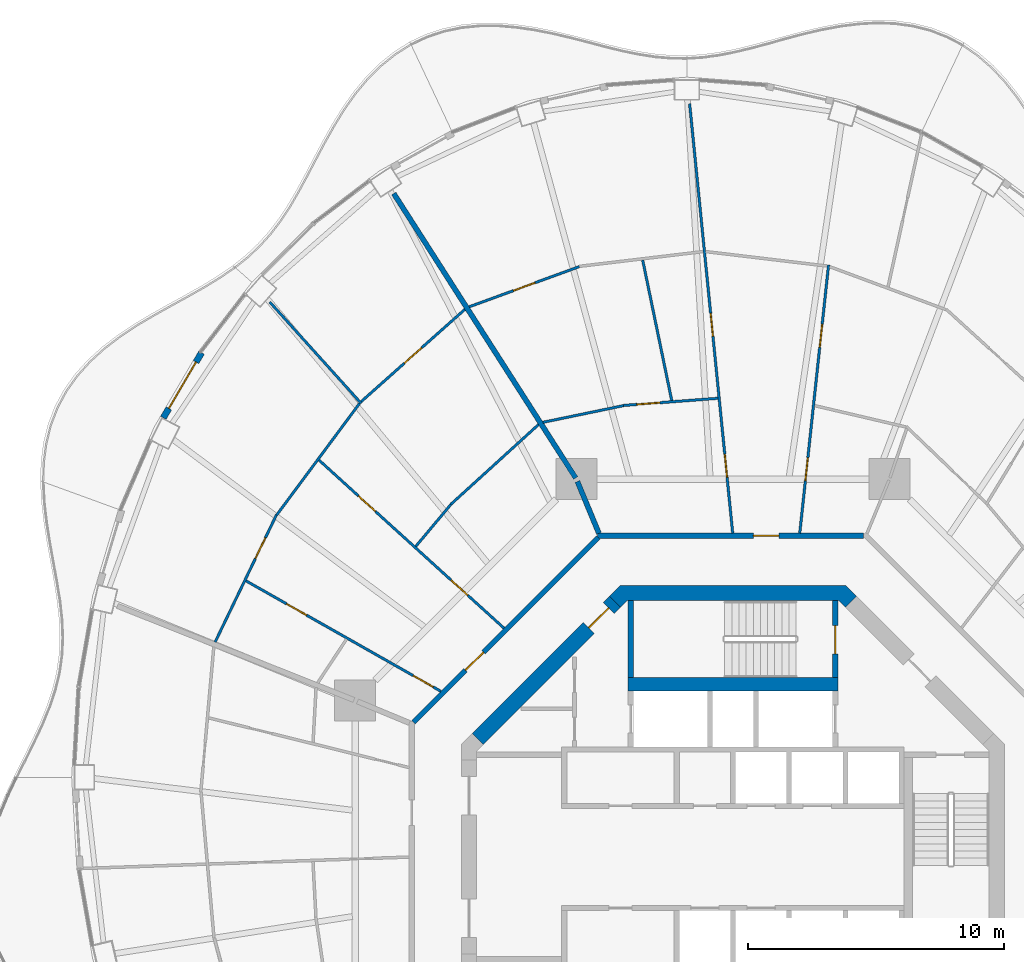
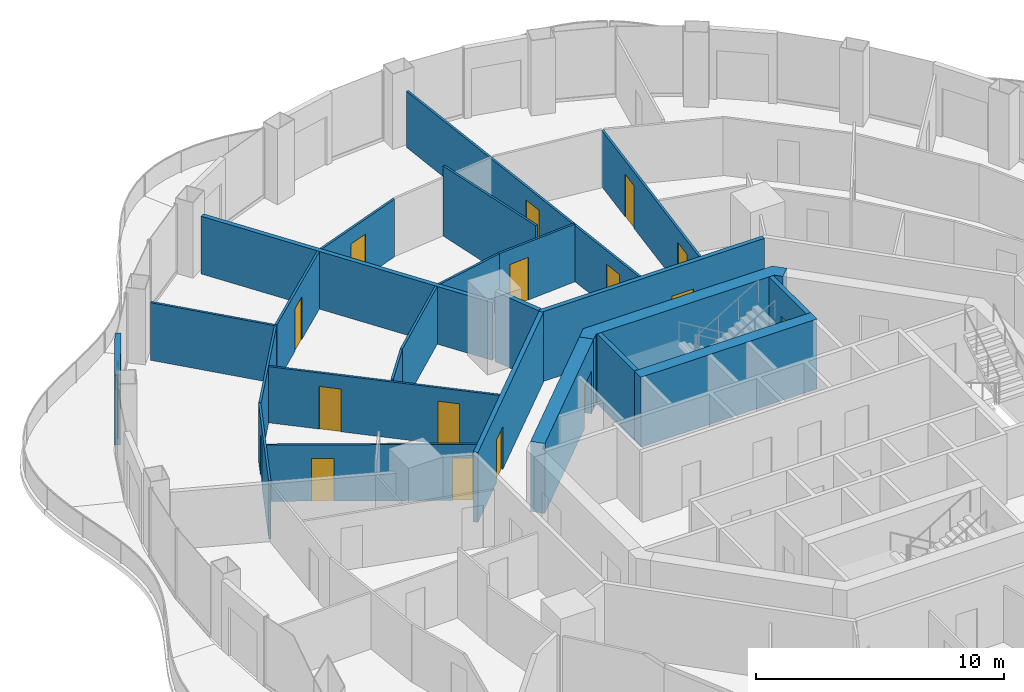
# One storey, part 13 of 18: 24 walls, 17 doors, 17 openings.
"""IFC4 building model written with IfcOpenShell, lengths in metres."""

from ifc_helpers import new_model, si_unit, direction, frame, frame_2d, origin, place, context, subcontext, project, spatial, polyline, rectangle, outline, extrude, material, layer, layer_set, type_object, element, fill, save


model = new_model("IFC4")

# Units and contexts
model_context = context("Model", 3, precision=1e-05, world=origin(), true_north=direction((0.0, 1.0)))
body_context = subcontext(model_context, "Body", "Model", "MODEL_VIEW")
ifc_project = project(units=[si_unit("LENGTHUNIT", "METRE"), si_unit("AREAUNIT", "SQUARE_METRE"), si_unit("VOLUMEUNIT", "CUBIC_METRE"), si_unit("PLANEANGLEUNIT", "RADIAN"), si_unit("MASSUNIT", "GRAM", prefix="KILO")], contexts=[model_context])

# Site, building, storey
site_placement = place(None, origin())
site = spatial("IfcSite", under=ifc_project, at=site_placement, CompositionType="ELEMENT")
building_placement = place(site_placement, origin())
building = spatial("IfcBuilding", under=site, at=building_placement, Name="Nagisa Residences", CompositionType="ELEMENT")
storey_placement = place(building_placement, frame((0.0, 0.0, 223.300048828125)))
storey = spatial("IfcBuildingStorey", under=building, at=storey_placement, Name="L56", CompositionType="ELEMENT", Elevation=223.300048828125)

# Walls
ifc_material_1 = material(Name="Gypsum board on steel studs", Category="steel")
ifc_layer_1 = layer(ifc_material_1, 0.199951171875)
ifc_layer_set_1 = layer_set([ifc_layer_1], Name="Apartment compartment wall EI60 200")
wall_type_1 = type_object("IfcWallType", Name="Apartment compartment wall EI60 200", PredefinedType="PARTITIONING", material=ifc_layer_set_1)
wall_1_placement = place(storey_placement, frame((-5.24267578125, 12.6572265625, 0.0), z_axis=(0.0, 0.0, 1.0), x_axis=(-0.382691608661, 0.923876145736, 0.0)))
element("IfcWall", 1, at=wall_1_placement, inside=storey, type_object=wall_type_1, Name="wall:L56:u00", PredefinedType="PARTITIONING", context=body_context, shape_type="SweptSolid", body=[
    extrude(rectangle(XDim=2.19970703125, YDim=0.199951171875, at=frame_2d((1.099853515625, 0.0))), origin(), (0.0, 0.0, 1.0), 3.43994140625),
])
wall_2_placement = place(storey_placement, frame((-6.14990234375, 14.82421875, 0.0), z_axis=(0.0, 0.0, 1.0), x_axis=(-0.538870687577, 0.842388498301, 0.0)))
element("IfcWall", 2, at=wall_2_placement, inside=storey, type_object=wall_type_1, Name="wall:L56:u01", PredefinedType="PARTITIONING", context=body_context, shape_type="SweptSolid", body=[
    extrude(rectangle(XDim=13.212646484375, YDim=0.199951171875, at=frame_2d((6.6064453125, 0.0))), origin(), (0.0, 0.0, 1.0), 2.8369140625),
])

# Wall, opening, door
ifc_material_2 = material(Name="Gypsum board on steel studs", Category="steel")
ifc_layer_2 = layer(ifc_material_2, 0.199951171875)
ifc_layer_set_2 = layer_set([ifc_layer_2], Name="Apartment entry wall EI60 200")
wall_type_2 = type_object("IfcWallType", Name="Apartment entry wall EI60 200", PredefinedType="PARTITIONING", material=ifc_layer_set_2)
wall_3_placement = place(storey_placement, frame((5.1044921875, 12.564697265625, 0.0), z_axis=(0.0, 0.0, 1.0), x_axis=(-1.0, 0.0, 0.0)))
wall_3 = element("IfcWall", 3, at=wall_3_placement, inside=storey, type_object=wall_type_2, Name="wall:L56:u10", PredefinedType="PARTITIONING", context=body_context, shape_type="SweptSolid", body=[
    extrude(rectangle(XDim=10.408935546875, YDim=0.199951171875, at=frame_2d((5.20458984375, 0.0))), origin(), (0.0, 0.0, 1.0), 3.43994140625),
])
opening_1_placement = place(wall_3_placement, frame((3.303466796875, 0.0, 0.0)))
opening_1 = element("IfcOpeningElement", 4, at=opening_1_placement, cuts=wall_3, Name="Opening L56-U31", PredefinedType="OPENING", context=body_context, shape_type="SweptSolid", body=[
    extrude(rectangle(XDim=1.0, YDim=2.10009765625, at=frame_2d((0.5, 1.050048828125))), frame((0.0, 0.10986328125, 0.0), z_axis=(0.0, -1.0, 0.0), x_axis=(1.0, 0.0, 0.0)), (0.0, 0.0, 1.0), 0.219970703125),
])
ifc_material_3 = material(Name="Timber fire door set", Category="wood")
door_type_1 = type_object("IfcDoorType", Name="Apartment entry door FD30S 1000x2100", OperationType="NOTDEFINED", PredefinedType="DOOR", material=ifc_material_3)
door_1_placement = place(opening_1_placement, frame((1.0, 0.0, 0.0), x_axis=(-1.0, 0.0, 0.0)))
door_1 = element("IfcDoor", 5, at=door_1_placement, inside=storey, type_object=door_type_1, Name="Entry door, Apartment 56D", OperationType="SINGLE_SWING_RIGHT", OverallHeight=2.10009765625, OverallWidth=1.0, PredefinedType="DOOR", context=body_context, shape_type="SweptSolid", body=[
    extrude(rectangle(XDim=1.0, YDim=2.10009765625, at=frame_2d((0.5, 1.050048828125))), frame((0.0, 0.02490234375, 0.0), z_axis=(0.0, -1.0, 0.0), x_axis=(1.0, 0.0, 0.0)), (0.0, 0.0, 1.0), 0.050048828125),
])
fill(opening_1, door_1)

wall_4_placement = place(storey_placement, frame((-5.275146484375, 12.494140625, 0.0), z_axis=(0.0, 0.0, 1.0), x_axis=(-0.707106781187, -0.707106781187, 0.0)))
wall_4 = element("IfcWall", 6, at=wall_4_placement, inside=storey, type_object=wall_type_2, Name="wall:L56:u11", PredefinedType="PARTITIONING", context=body_context, shape_type="SweptSolid", body=[
    extrude(rectangle(XDim=10.209228515625, YDim=0.199951171875, at=frame_2d((5.1044921875, 0.0))), origin(), (0.0, 0.0, 1.0), 3.43994140625),
])
opening_2_placement = place(wall_4_placement, frame((6.33935546875, 0.0, 0.0)))
opening_2 = element("IfcOpeningElement", 7, at=opening_2_placement, cuts=wall_4, Name="Opening L56-U01", PredefinedType="OPENING", context=body_context, shape_type="SweptSolid", body=[
    extrude(rectangle(XDim=1.0, YDim=2.10009765625, at=frame_2d((0.5, 1.050048828125))), frame((0.0, 0.10986328125, 0.0), z_axis=(0.0, -1.0, 0.0), x_axis=(1.0, 0.0, 0.0)), (0.0, 0.0, 1.0), 0.219970703125),
])
door_2_placement = place(opening_2_placement, frame((1.0, 0.0, 0.0), x_axis=(-1.0, 0.0, 0.0)))
door_2 = element("IfcDoor", 8, at=door_2_placement, inside=storey, type_object=door_type_1, Name="Entry door, Apartment 56A", OperationType="SINGLE_SWING_RIGHT", OverallHeight=2.10009765625, OverallWidth=1.0, PredefinedType="DOOR", context=body_context, shape_type="SweptSolid", body=[
    extrude(rectangle(XDim=1.0, YDim=2.10009765625, at=frame_2d((0.5, 1.050048828125))), frame((0.0, 0.02490234375, 0.0), z_axis=(0.0, -1.0, 0.0), x_axis=(1.0, 0.0, 0.0)), (0.0, 0.0, 1.0), 0.050048828125),
])
fill(opening_2, door_2)

# Wall, openings, doors
ifc_material_4 = material(Name="Gypsum board on steel studs", Category="steel")
ifc_layer_3 = layer(ifc_material_4, 0.10009765625)
ifc_layer_set_3 = layer_set([ifc_layer_3], Name="Apartment partition 100")
wall_type_3 = type_object("IfcWallType", Name="Apartment partition 100", PredefinedType="PARTITIONING", material=ifc_layer_set_3)
wall_5_placement = place(storey_placement, frame((2.613037109375, 12.664306640625, 0.0), z_axis=(0.0, 0.0, 1.0), x_axis=(0.106823825758, 0.994277964279, 0.0)))
wall_5 = element("IfcWall", 9, at=wall_5_placement, inside=storey, type_object=wall_type_3, Name="wall:L56:u37", PredefinedType="PARTITIONING", context=body_context, shape_type="SweptSolid", body=[
    extrude(rectangle(XDim=10.556396484375, YDim=0.10009765625, at=frame_2d((5.2783203125, 0.0))), origin(), (0.0, 0.0, 1.0), 2.761962890625),
])
opening_3_placement = place(wall_5_placement, frame((2.066162109375, 0.0, 0.0)))
opening_3 = element("IfcOpeningElement", 10, at=opening_3_placement, cuts=wall_5, Name="Opening L56-U32", PredefinedType="OPENING", context=body_context, shape_type="SweptSolid", body=[
    extrude(rectangle(XDim=0.89990234375, YDim=2.10009765625, at=frame_2d((0.449951171875, 1.050048828125))), frame((0.0, 0.06005859375, 0.0), z_axis=(0.0, -1.0, 0.0), x_axis=(1.0, 0.0, 0.0)), (0.0, 0.0, 1.0), 0.1201171875),
])
opening_4_placement = place(wall_5_placement, frame((7.319580078125, 0.0, 0.0)))
opening_4 = element("IfcOpeningElement", 11, at=opening_4_placement, cuts=wall_5, Name="Opening L56-U34", PredefinedType="OPENING", context=body_context, shape_type="SweptSolid", body=[
    extrude(rectangle(XDim=0.89990234375, YDim=2.10009765625, at=frame_2d((0.449951171875, 1.050048828125))), frame((0.0, 0.06005859375, 0.0), z_axis=(0.0, -1.0, 0.0), x_axis=(1.0, 0.0, 0.0)), (0.0, 0.0, 1.0), 0.1201171875),
])
ifc_material_5 = material(Name="Timber door set", Category="wood")
door_type_2 = type_object("IfcDoorType", Name="Apartment door 900x2100", OperationType="NOTDEFINED", PredefinedType="DOOR", material=ifc_material_5)
door_3_placement = place(opening_3_placement, frame((0.89990234375, 0.0, 0.0), x_axis=(-1.0, 0.0, 0.0)))
door_3 = element("IfcDoor", 12, at=door_3_placement, inside=storey, type_object=door_type_2, Name="Door to laundry, Apartment 56D", OperationType="SINGLE_SWING_LEFT", OverallHeight=2.10009765625, OverallWidth=0.89990234375, PredefinedType="DOOR", context=body_context, shape_type="SweptSolid", body=[
    extrude(rectangle(XDim=0.89990234375, YDim=2.10009765625, at=frame_2d((0.449951171875, 1.050048828125))), frame((0.0, 0.02490234375, 0.0), z_axis=(0.0, -1.0, 0.0), x_axis=(1.0, 0.0, 0.0)), (0.0, 0.0, 1.0), 0.050048828125),
])
fill(opening_3, door_3)
door_4_placement = place(opening_4_placement, frame((0.89990234375, 0.0, 0.0), x_axis=(-1.0, 0.0, 0.0)))
door_4 = element("IfcDoor", 13, at=door_4_placement, inside=storey, type_object=door_type_2, Name="Door to family room, Apartment 56D", OperationType="SINGLE_SWING_LEFT", OverallHeight=2.10009765625, OverallWidth=0.89990234375, PredefinedType="DOOR", context=body_context, shape_type="SweptSolid", body=[
    extrude(rectangle(XDim=0.89990234375, YDim=2.10009765625, at=frame_2d((0.449951171875, 1.050048828125))), frame((0.0, 0.02490234375, 0.0), z_axis=(0.0, -1.0, 0.0), x_axis=(1.0, 0.0, 0.0)), (0.0, 0.0, 1.0), 0.050048828125),
])
fill(opening_4, door_4)

wall_6_placement = place(storey_placement, frame((-0.010009765625, 12.664306640625, 0.0), z_axis=(0.0, 0.0, 1.0), x_axis=(-0.099808591851, 0.995006655753, 0.0)))
wall_6 = element("IfcWall", 14, at=wall_6_placement, inside=storey, type_object=wall_type_3, Name="wall:L56:u39", PredefinedType="PARTITIONING", context=body_context, shape_type="SweptSolid", body=[
    extrude(rectangle(XDim=16.8876953125, YDim=0.10009765625, at=frame_2d((8.44384765625, 0.0))), origin(), (0.0, 0.0, 1.0), 2.761962890625),
])
opening_5_placement = place(wall_6_placement, frame((2.204833984375, 0.0, 0.0)))
opening_5 = element("IfcOpeningElement", 15, at=opening_5_placement, cuts=wall_6, Name="Opening L56-U33", PredefinedType="OPENING", context=body_context, shape_type="SweptSolid", body=[
    extrude(rectangle(XDim=0.89990234375, YDim=2.10009765625, at=frame_2d((0.449951171875, 1.050048828125))), frame((0.0, 0.06005859375, 0.0), z_axis=(0.0, -1.0, 0.0), x_axis=(1.0, 0.0, 0.0)), (0.0, 0.0, 1.0), 0.1201171875),
])
opening_6_placement = place(wall_6_placement, frame((7.7451171875, 0.0, 0.0)))
opening_6 = element("IfcOpeningElement", 16, at=opening_6_placement, cuts=wall_6, Name="Opening L56-U35", PredefinedType="OPENING", context=body_context, shape_type="SweptSolid", body=[
    extrude(rectangle(XDim=0.89990234375, YDim=2.10009765625, at=frame_2d((0.449951171875, 1.050048828125))), frame((0.0, 0.06005859375, 0.0), z_axis=(0.0, -1.0, 0.0), x_axis=(1.0, 0.0, 0.0)), (0.0, 0.0, 1.0), 0.1201171875),
])
door_5_placement = place(opening_5_placement, origin())
door_5 = element("IfcDoor", 17, at=door_5_placement, inside=storey, type_object=door_type_2, Name="Door to store, Apartment 56D", OperationType="SINGLE_SWING_LEFT", OverallHeight=2.10009765625, OverallWidth=0.89990234375, PredefinedType="DOOR", context=body_context, shape_type="SweptSolid", body=[
    extrude(rectangle(XDim=0.89990234375, YDim=2.10009765625, at=frame_2d((0.449951171875, 1.050048828125))), frame((0.0, 0.02490234375, 0.0), z_axis=(0.0, -1.0, 0.0), x_axis=(1.0, 0.0, 0.0)), (0.0, 0.0, 1.0), 0.050048828125),
])
fill(opening_5, door_5)
door_6_placement = place(opening_6_placement, origin())
door_6 = element("IfcDoor", 18, at=door_6_placement, inside=storey, type_object=door_type_2, Name="Door to family bathroom, Apartment 56D", OperationType="SINGLE_SWING_LEFT", OverallHeight=2.10009765625, OverallWidth=0.89990234375, PredefinedType="DOOR", context=body_context, shape_type="SweptSolid", body=[
    extrude(rectangle(XDim=0.89990234375, YDim=2.10009765625, at=frame_2d((0.449951171875, 1.050048828125))), frame((0.0, 0.02490234375, 0.0), z_axis=(0.0, -1.0, 0.0), x_axis=(1.0, 0.0, 0.0)), (0.0, 0.0, 1.0), 0.050048828125),
])
fill(opening_6, door_6)

# Wall, opening, door
wall_7_placement = place(storey_placement, frame((-0.58984375, 17.94384765625, 0.0), z_axis=(0.0, 0.0, 1.0), x_axis=(-0.997133495787, -0.075662352452, 0.0)))
wall_7 = element("IfcWall", 19, at=wall_7_placement, inside=storey, type_object=wall_type_3, Name="wall:L56:u40", PredefinedType="PARTITIONING", context=body_context, shape_type="SweptSolid", body=[
    extrude(rectangle(XDim=3.700927734375, YDim=0.10009765625, at=frame_2d((1.8505859375, 0.0))), origin(), (0.0, 0.0, 1.0), 2.8369140625),
])
opening_7_placement = place(wall_7_placement, frame((2.27587890625, 0.0, 0.0)))
opening_7 = element("IfcOpeningElement", 20, at=opening_7_placement, cuts=wall_7, Name="Opening L56-U36", PredefinedType="OPENING", context=body_context, shape_type="SweptSolid", body=[
    extrude(rectangle(XDim=0.89990234375, YDim=2.10009765625, at=frame_2d((0.449951171875, 1.050048828125))), frame((0.0, 0.06005859375, 0.0), z_axis=(0.0, -1.0, 0.0), x_axis=(1.0, 0.0, 0.0)), (0.0, 0.0, 1.0), 0.1201171875),
])
door_7_placement = place(opening_7_placement, frame((0.89990234375, 0.0, 0.0), x_axis=(-1.0, 0.0, 0.0)))
door_7 = element("IfcDoor", 21, at=door_7_placement, inside=storey, type_object=door_type_2, Name="Door to family room, Apartment 56D", OperationType="SINGLE_SWING_LEFT", OverallHeight=2.10009765625, OverallWidth=0.89990234375, PredefinedType="DOOR", context=body_context, shape_type="SweptSolid", body=[
    extrude(rectangle(XDim=0.89990234375, YDim=2.10009765625, at=frame_2d((0.449951171875, 1.050048828125))), frame((0.0, 0.02490234375, 0.0), z_axis=(0.0, -1.0, 0.0), x_axis=(1.0, 0.0, 0.0)), (0.0, 0.0, 1.0), 0.050048828125),
])
fill(opening_7, door_7)

# Walls
wall_8_placement = place(storey_placement, frame((-2.395263671875, 17.856689453125, 0.0), z_axis=(0.0, 0.0, 1.0), x_axis=(-0.20251351451, 0.979279467997, 0.0)))
element("IfcWall", 22, at=wall_8_placement, inside=storey, type_object=wall_type_3, Name="wall:L56:u42", PredefinedType="PARTITIONING", context=body_context, shape_type="SweptSolid", body=[
    extrude(rectangle(XDim=5.610595703125, YDim=0.10009765625, at=frame_2d((2.80517578125, 0.0))), origin(), (0.0, 0.0, 1.0), 3.43994140625),
])
wall_9_placement = place(storey_placement, frame((-4.279541015625, 17.657470703125, 0.0), z_axis=(0.0, 0.0, 1.0), x_axis=(-0.979195545385, -0.202918909661, 0.0)))
element("IfcWall", 23, at=wall_9_placement, inside=storey, type_object=wall_type_3, Name="wall:L56:u43", PredefinedType="PARTITIONING", context=body_context, shape_type="SweptSolid", body=[
    extrude(rectangle(XDim=3.220703125, YDim=0.10009765625, at=frame_2d((1.6103515625, 0.0))), origin(), (0.0, 0.0, 1.0), 2.8369140625),
])

# Wall, opening, door
wall_10_placement = place(storey_placement, frame((-6.01416015625, 23.093505859375, 0.0), z_axis=(0.0, 0.0, 1.0), x_axis=(-0.939433575811, -0.342731026665, 0.0)))
wall_10 = element("IfcWall", 24, at=wall_10_placement, inside=storey, type_object=wall_type_3, Name="wall:L56:u44", PredefinedType="PARTITIONING", context=body_context, shape_type="SweptSolid", body=[
    extrude(rectangle(XDim=4.58251953125, YDim=0.10009765625, at=frame_2d((2.291259765625, 0.0))), origin(), (0.0, 0.0, 1.0), 2.8369140625),
])
opening_8_placement = place(wall_10_placement, frame((1.84130859375, 0.0, 0.0)))
opening_8 = element("IfcOpeningElement", 25, at=opening_8_placement, cuts=wall_10, Name="Opening L56-U39", PredefinedType="OPENING", context=body_context, shape_type="SweptSolid", body=[
    extrude(rectangle(XDim=0.89990234375, YDim=2.10009765625, at=frame_2d((0.449951171875, 1.050048828125))), frame((0.0, 0.06005859375, 0.0), z_axis=(0.0, -1.0, 0.0), x_axis=(1.0, 0.0, 0.0)), (0.0, 0.0, 1.0), 0.1201171875),
])
door_8_placement = place(opening_8_placement, frame((0.89990234375, 0.0, 0.0), x_axis=(-1.0, 0.0, 0.0)))
door_8 = element("IfcDoor", 26, at=door_8_placement, inside=storey, type_object=door_type_2, Name="Door to living room, Apartment 56D", OperationType="SINGLE_SWING_RIGHT", OverallHeight=2.10009765625, OverallWidth=0.89990234375, PredefinedType="DOOR", context=body_context, shape_type="SweptSolid", body=[
    extrude(rectangle(XDim=0.89990234375, YDim=2.10009765625, at=frame_2d((0.449951171875, 1.050048828125))), frame((0.0, 0.02490234375, 0.0), z_axis=(0.0, -1.0, 0.0), x_axis=(1.0, 0.0, 0.0)), (0.0, 0.0, 1.0), 0.050048828125),
])
fill(opening_8, door_8)

# Wall
wall_11_placement = place(storey_placement, frame((-7.605224609375, 16.91650390625, 0.0), z_axis=(0.0, 0.0, 1.0), x_axis=(-0.739828340504, -0.672795679673, 0.0)))
element("IfcWall", 27, at=wall_11_placement, inside=storey, type_object=wall_type_3, Name="wall:L56:u45", PredefinedType="PARTITIONING", context=body_context, shape_type="SweptSolid", body=[
    extrude(rectangle(XDim=4.647216796875, YDim=0.10009765625, at=frame_2d((2.32373046875, 0.0))), origin(), (0.0, 0.0, 1.0), 2.8369140625),
])

# Wall, opening, door
wall_12_placement = place(storey_placement, frame((-10.48779296875, 21.422119140625, 0.0), z_axis=(0.0, 0.0, 1.0), x_axis=(-0.747148551049, -0.664657086523, 0.0)))
wall_12 = element("IfcWall", 28, at=wall_12_placement, inside=storey, type_object=wall_type_3, Name="wall:L56:u46", PredefinedType="PARTITIONING", context=body_context, shape_type="SweptSolid", body=[
    extrude(rectangle(XDim=5.4248046875, YDim=0.10009765625, at=frame_2d((2.71240234375, 0.0))), origin(), (0.0, 0.0, 1.0), 2.8369140625),
])
opening_9_placement = place(wall_12_placement, frame((2.262451171875, 0.0, 0.0)))
opening_9 = element("IfcOpeningElement", 29, at=opening_9_placement, cuts=wall_12, Name="Opening L56-U06", PredefinedType="OPENING", context=body_context, shape_type="SweptSolid", body=[
    extrude(rectangle(XDim=0.89990234375, YDim=2.10009765625, at=frame_2d((0.449951171875, 1.050048828125))), frame((0.0, 0.06005859375, 0.0), z_axis=(0.0, -1.0, 0.0), x_axis=(1.0, 0.0, 0.0)), (0.0, 0.0, 1.0), 0.1201171875),
])
door_9_placement = place(opening_9_placement, frame((0.89990234375, 0.0, 0.0), x_axis=(-1.0, 0.0, 0.0)))
door_9 = element("IfcDoor", 30, at=door_9_placement, inside=storey, type_object=door_type_2, Name="Door to master bedroom, Apartment 56A", OperationType="SINGLE_SWING_LEFT", OverallHeight=2.10009765625, OverallWidth=0.89990234375, PredefinedType="DOOR", context=body_context, shape_type="SweptSolid", body=[
    extrude(rectangle(XDim=0.89990234375, YDim=2.10009765625, at=frame_2d((0.449951171875, 1.050048828125))), frame((0.0, 0.02490234375, 0.0), z_axis=(0.0, -1.0, 0.0), x_axis=(1.0, 0.0, 0.0)), (0.0, 0.0, 1.0), 0.050048828125),
])
fill(opening_9, door_9)

# Walls
wall_13_placement = place(storey_placement, frame((-11.03857421875, 13.78515625, 0.0), z_axis=(0.0, 0.0, 1.0), x_axis=(-0.642323585424, -0.766433566337, 0.0)))
element("IfcWall", 31, at=wall_13_placement, inside=storey, type_object=wall_type_3, Name="wall:L56:u47", PredefinedType="PARTITIONING", context=body_context, shape_type="SweptSolid", body=[
    extrude(rectangle(XDim=2.13037109375, YDim=0.10009765625, at=frame_2d((1.065185546875, 0.0))), origin(), (0.0, 0.0, 1.0), 2.8369140625),
])
wall_14_placement = place(storey_placement, frame((-14.544921875, 17.74609375, 0.0), z_axis=(0.0, 0.0, 1.0), x_axis=(-0.669829144173, 0.742515264232, 0.0)))
element("IfcWall", 32, at=wall_14_placement, inside=storey, type_object=wall_type_3, Name="wall:L56:u48", PredefinedType="PARTITIONING", context=body_context, shape_type="SweptSolid", body=[
    extrude(rectangle(XDim=5.333740234375, YDim=0.10009765625, at=frame_2d((2.6669921875, 0.0))), origin(), (0.0, 0.0, 1.0), 2.8369140625),
])
wall_15_placement = place(storey_placement, frame((-14.608154296875, 17.7431640625, 0.0), z_axis=(0.0, 0.0, 1.0), x_axis=(-0.596174489482, -0.8028548923, 0.0)))
element("IfcWall", 33, at=wall_15_placement, inside=storey, type_object=wall_type_3, Name="wall:L56:u49", PredefinedType="PARTITIONING", context=body_context, shape_type="SweptSolid", body=[
    extrude(rectangle(XDim=5.44189453125, YDim=0.10009765625, at=frame_2d((2.720947265625, 0.0))), origin(), (0.0, 0.0, 1.0), 2.8369140625),
])

# Wall, openings, doors
wall_16_placement = place(storey_placement, frame((-8.958740234375, 8.951904296875, 0.0), z_axis=(0.0, 0.0, 1.0), x_axis=(-0.740140081805, 0.672452719011, 0.0)))
wall_16 = element("IfcWall", 34, at=wall_16_placement, inside=storey, type_object=wall_type_3, Name="wall:L56:u50", PredefinedType="PARTITIONING", context=body_context, shape_type="SweptSolid", body=[
    extrude(rectangle(XDim=9.774658203125, YDim=0.10009765625, at=frame_2d((4.88720703125, 0.0))), origin(), (0.0, 0.0, 1.0), 2.761962890625),
])
opening_10_placement = place(wall_16_placement, frame((1.901123046875, 0.0, 0.0)))
opening_10 = element("IfcOpeningElement", 35, at=opening_10_placement, cuts=wall_16, Name="Opening L56-U02", PredefinedType="OPENING", context=body_context, shape_type="SweptSolid", body=[
    extrude(rectangle(XDim=0.89990234375, YDim=2.10009765625, at=frame_2d((0.449951171875, 1.050048828125))), frame((0.0, 0.06005859375, 0.0), z_axis=(0.0, -1.0, 0.0), x_axis=(1.0, 0.0, 0.0)), (0.0, 0.0, 1.0), 0.1201171875),
])
opening_11_placement = place(wall_16_placement, frame((6.78857421875, 0.0, 0.0)))
opening_11 = element("IfcOpeningElement", 36, at=opening_11_placement, cuts=wall_16, Name="Opening L56-U04", PredefinedType="OPENING", context=body_context, shape_type="SweptSolid", body=[
    extrude(rectangle(XDim=0.89990234375, YDim=2.10009765625, at=frame_2d((0.449951171875, 1.050048828125))), frame((0.0, 0.06005859375, 0.0), z_axis=(0.0, -1.0, 0.0), x_axis=(1.0, 0.0, 0.0)), (0.0, 0.0, 1.0), 0.1201171875),
])
door_10_placement = place(opening_10_placement, frame((0.89990234375, 0.0, 0.0), x_axis=(-1.0, 0.0, 0.0)))
door_10 = element("IfcDoor", 37, at=door_10_placement, inside=storey, type_object=door_type_2, Name="Door to store, Apartment 56A", OperationType="SINGLE_SWING_LEFT", OverallHeight=2.10009765625, OverallWidth=0.89990234375, PredefinedType="DOOR", context=body_context, shape_type="SweptSolid", body=[
    extrude(rectangle(XDim=0.89990234375, YDim=2.10009765625, at=frame_2d((0.449951171875, 1.050048828125))), frame((0.0, 0.02490234375, 0.0), z_axis=(0.0, -1.0, 0.0), x_axis=(1.0, 0.0, 0.0)), (0.0, 0.0, 1.0), 0.050048828125),
])
fill(opening_10, door_10)
door_11_placement = place(opening_11_placement, frame((0.89990234375, 0.0, 0.0), x_axis=(-1.0, 0.0, 0.0)))
door_11 = element("IfcDoor", 38, at=door_11_placement, inside=storey, type_object=door_type_2, Name="Door to kitchen, Apartment 56A", OperationType="SINGLE_SWING_LEFT", OverallHeight=2.10009765625, OverallWidth=0.89990234375, PredefinedType="DOOR", context=body_context, shape_type="SweptSolid", body=[
    extrude(rectangle(XDim=0.89990234375, YDim=2.10009765625, at=frame_2d((0.449951171875, 1.050048828125))), frame((0.0, 0.02490234375, 0.0), z_axis=(0.0, -1.0, 0.0), x_axis=(1.0, 0.0, 0.0)), (0.0, 0.0, 1.0), 0.050048828125),
])
fill(opening_11, door_11)

# Wall, opening, door
wall_17_placement = place(storey_placement, frame((-17.860595703125, 13.37890625, 0.0), z_axis=(0.0, 0.0, 1.0), x_axis=(-0.434302390612, -0.900767136117, 0.0)))
wall_17 = element("IfcWall", 39, at=wall_17_placement, inside=storey, type_object=wall_type_3, Name="wall:L56:u51", PredefinedType="PARTITIONING", context=body_context, shape_type="SweptSolid", body=[
    extrude(rectangle(XDim=5.5185546875, YDim=0.10009765625, at=frame_2d((2.75927734375, 0.0))), origin(), (0.0, 0.0, 1.0), 2.8369140625),
])
opening_12_placement = place(wall_17_placement, frame((0.9921875, 0.0, 0.0)))
opening_12 = element("IfcOpeningElement", 40, at=opening_12_placement, cuts=wall_17, Name="Opening L56-U07", PredefinedType="OPENING", context=body_context, shape_type="SweptSolid", body=[
    extrude(rectangle(XDim=0.89990234375, YDim=2.10009765625, at=frame_2d((0.449951171875, 1.050048828125))), frame((0.0, 0.06005859375, 0.0), z_axis=(0.0, -1.0, 0.0), x_axis=(1.0, 0.0, 0.0)), (0.0, 0.0, 1.0), 0.1201171875),
])
door_12_placement = place(opening_12_placement, frame((0.89990234375, 0.0, 0.0), x_axis=(-1.0, 0.0, 0.0)))
door_12 = element("IfcDoor", 41, at=door_12_placement, inside=storey, type_object=door_type_2, Name="Door to family room, Apartment 56A", OperationType="SINGLE_SWING_RIGHT", OverallHeight=2.10009765625, OverallWidth=0.89990234375, PredefinedType="DOOR", context=body_context, shape_type="SweptSolid", body=[
    extrude(rectangle(XDim=0.89990234375, YDim=2.10009765625, at=frame_2d((0.449951171875, 1.050048828125))), frame((0.0, 0.02490234375, 0.0), z_axis=(0.0, -1.0, 0.0), x_axis=(1.0, 0.0, 0.0)), (0.0, 0.0, 1.0), 0.050048828125),
])
fill(opening_12, door_12)

# Wall, openings, doors
wall_18_placement = place(storey_placement, frame((-11.425048828125, 6.48046875, 0.0), z_axis=(0.0, 0.0, 1.0), x_axis=(-0.869969596547, 0.493105365094, 0.0)))
wall_18 = element("IfcWall", 42, at=wall_18_placement, inside=storey, type_object=wall_type_3, Name="wall:L56:u52", PredefinedType="PARTITIONING", context=body_context, shape_type="SweptSolid", body=[
    extrude(rectangle(XDim=8.762451171875, YDim=0.10009765625, at=frame_2d((4.38134765625, 0.0))), origin(), (0.0, 0.0, 1.0), 2.761962890625),
])
opening_13_placement = place(wall_18_placement, frame((0.35009765625, 0.0, 0.0)))
opening_13 = element("IfcOpeningElement", 43, at=opening_13_placement, cuts=wall_18, Name="Opening L56-U03", PredefinedType="OPENING", context=body_context, shape_type="SweptSolid", body=[
    extrude(rectangle(XDim=0.89990234375, YDim=2.10009765625, at=frame_2d((0.449951171875, 1.050048828125))), frame((0.0, 0.06005859375, 0.0), z_axis=(0.0, -1.0, 0.0), x_axis=(1.0, 0.0, 0.0)), (0.0, 0.0, 1.0), 0.1201171875),
])
opening_14_placement = place(wall_18_placement, frame((6.037841796875, 0.0, 0.0)))
opening_14 = element("IfcOpeningElement", 44, at=opening_14_placement, cuts=wall_18, Name="Opening L56-U05", PredefinedType="OPENING", context=body_context, shape_type="SweptSolid", body=[
    extrude(rectangle(XDim=0.89990234375, YDim=2.10009765625, at=frame_2d((0.449951171875, 1.050048828125))), frame((0.0, 0.06005859375, 0.0), z_axis=(0.0, -1.0, 0.0), x_axis=(1.0, 0.0, 0.0)), (0.0, 0.0, 1.0), 0.1201171875),
])
door_13_placement = place(opening_13_placement, origin())
door_13 = element("IfcDoor", 45, at=door_13_placement, inside=storey, type_object=door_type_2, Name="Door to family bathroom, Apartment 56A", OperationType="SINGLE_SWING_LEFT", OverallHeight=2.10009765625, OverallWidth=0.89990234375, PredefinedType="DOOR", context=body_context, shape_type="SweptSolid", body=[
    extrude(rectangle(XDim=0.89990234375, YDim=2.10009765625, at=frame_2d((0.449951171875, 1.050048828125))), frame((0.0, 0.02490234375, 0.0), z_axis=(0.0, -1.0, 0.0), x_axis=(1.0, 0.0, 0.0)), (0.0, 0.0, 1.0), 0.050048828125),
])
fill(opening_13, door_13)
door_14_placement = place(opening_14_placement, origin())
door_14 = element("IfcDoor", 46, at=door_14_placement, inside=storey, type_object=door_type_2, Name="Door to family bathroom, Apartment 56A", OperationType="SINGLE_SWING_LEFT", OverallHeight=2.10009765625, OverallWidth=0.89990234375, PredefinedType="DOOR", context=body_context, shape_type="SweptSolid", body=[
    extrude(rectangle(XDim=0.89990234375, YDim=2.10009765625, at=frame_2d((0.449951171875, 1.050048828125))), frame((0.0, 0.02490234375, 0.0), z_axis=(0.0, -1.0, 0.0), x_axis=(1.0, 0.0, 0.0)), (0.0, 0.0, 1.0), 0.050048828125),
])
fill(opening_14, door_14)

# Wall, opening, door
ifc_material_6 = material(Name="Precast concrete C40/50", Category="concrete")
ifc_layer_4 = layer(ifc_material_6, 0.25)
ifc_layer_set_4 = layer_set([ifc_layer_4], Name="BALCONY DOOR WALL 250")
wall_type_4 = type_object("IfcWallType", Name="BALCONY DOOR WALL 250", PredefinedType="SOLIDWALL", material=ifc_layer_set_4)
wall_19_placement = place(storey_placement, frame((-22.2841796875, 17.1806640625, 0.0), z_axis=(0.0, 0.0, 1.0), x_axis=(0.506330171469, 0.862339699573, 0.0)))
wall_19 = element("IfcWall", 47, at=wall_19_placement, inside=storey, type_object=wall_type_4, Name="wall:L56:bay19", PredefinedType="SOLIDWALL", context=body_context, shape_type="SweptSolid", body=[
    extrude(rectangle(XDim=2.954345703125, YDim=0.25, at=frame_2d((1.47705078125, 0.0))), origin(), (0.0, 0.0, 1.0), 3.43994140625),
])
opening_15_placement = place(wall_19_placement, frame((0.42724609375, 0.0, 0.0)))
opening_15 = element("IfcOpeningElement", 48, at=opening_15_placement, cuts=wall_19, Name="Opening BD-L56-07", PredefinedType="OPENING", context=body_context, shape_type="SweptSolid", body=[
    extrude(rectangle(XDim=2.10009765625, YDim=2.39990234375, at=frame_2d((1.050048828125, 1.199951171875))), frame((0.0, 0.135009765625, 0.0), z_axis=(0.0, -1.0, 0.0), x_axis=(1.0, 0.0, 0.0)), (0.0, 0.0, 1.0), 0.27001953125),
])
ifc_material_7 = material(Name="Aluminium and clear glass", Category="aluminium")
door_type_3 = type_object("IfcDoorType", Name="BALCONY SLIDING DOOR 2100x2400", OperationType="SLIDING_TO_LEFT", PredefinedType="DOOR", material=ifc_material_7)
door_15_placement = place(opening_15_placement, origin())
door_15 = element("IfcDoor", 49, at=door_15_placement, inside=storey, type_object=door_type_3, Name="door:L56:bay19", OperationType="SLIDING_TO_LEFT", OverallHeight=2.39990234375, OverallWidth=2.10009765625, PredefinedType="DOOR", context=body_context, shape_type="SweptSolid", body=[
    extrude(rectangle(XDim=2.10009765625, YDim=2.39990234375, at=frame_2d((1.050048828125, 1.199951171875))), frame((0.0, 0.02490234375, 0.0), z_axis=(0.0, -1.0, 0.0), x_axis=(1.0, 0.0, 0.0)), (0.0, 0.0, 1.0), 0.050048828125),
])
fill(opening_15, door_15)

ifc_material_8 = material(Name="Concrete C60", Category="concrete")
ifc_layer_5 = layer(ifc_material_8, 0.60009765625)
ifc_layer_set_5 = layer_set([ifc_layer_5], Name="Core shear wall 600")
wall_type_5 = type_object("IfcWallType", Name="Core shear wall 600", PredefinedType="SHEAR", material=ifc_layer_set_5)
wall_20_placement = place(storey_placement, frame((-4.613037109375, 9.98828125, 0.0), z_axis=(0.0, 0.0, 1.0), x_axis=(-0.707106781187, -0.707106781187, 0.0)))
wall_20 = element("IfcWall", 50, at=wall_20_placement, inside=storey, type_object=wall_type_5, Name="wall:L56:core:flat3", PredefinedType="SHEAR", context=body_context, shape_type="SweptSolid", body=[
    extrude(rectangle(XDim=7.601806640625, YDim=0.60009765625, at=frame_2d((3.80078125, 0.0))), origin(), (0.0, 0.0, 1.0), 3.43994140625),
])
opening_16_placement = place(wall_20_placement, frame((0.350830078125, 0.0, 0.0)))
opening_16 = element("IfcOpeningElement", 51, at=opening_16_placement, cuts=wall_20, Name="Opening L56-C22", PredefinedType="OPENING", context=body_context, shape_type="SweptSolid", body=[
    extrude(rectangle(XDim=1.10009765625, YDim=2.10009765625, at=frame_2d((0.550048828125, 1.050048828125))), frame((0.0, 0.31005859375, 0.0), z_axis=(0.0, -1.0, 0.0), x_axis=(1.0, 0.0, 0.0)), (0.0, 0.0, 1.0), 0.6201171875),
])
ifc_material_9 = material(Name="Steel fire door", Category="steel")
door_type_4 = type_object("IfcDoorType", Name="Fire door EI60 1100x2100 single swing", OperationType="NOTDEFINED", PredefinedType="DOOR", material=ifc_material_9)
door_16_placement = place(opening_16_placement, origin())
door_16 = element("IfcDoor", 52, at=door_16_placement, inside=storey, type_object=door_type_4, Name="Service lobby door L56", OperationType="SINGLE_SWING_LEFT", OverallHeight=2.10009765625, OverallWidth=1.10009765625, PredefinedType="DOOR", context=body_context, shape_type="SweptSolid", body=[
    extrude(rectangle(XDim=1.10009765625, YDim=2.10009765625, at=frame_2d((0.550048828125, 1.050048828125))), frame((0.0, 0.02490234375, 0.0), z_axis=(0.0, -1.0, 0.0), x_axis=(1.0, 0.0, 0.0)), (0.0, 0.0, 1.0), 0.050048828125),
])
fill(opening_16, door_16)

# Wall
wall_21_placement = place(storey_placement, origin())
element("IfcWall", 53, at=wall_21_placement, inside=storey, type_object=wall_type_5, Name="wall:L56:core:flat2", PredefinedType="SHEAR", context=body_context, shape_type="SweptSolid", body=[
    extrude(outline(polyline([(-4.15234375, 10.024658203125), (-4.40087890625, 9.776123046875), (-4.8251953125, 10.200439453125), (-4.40087890625, 10.62451171875), (4.40087890625, 10.62451171875), (4.8251953125, 10.200439453125), (4.40087890625, 9.776123046875), (4.15234375, 10.024658203125), (-4.15234375, 10.024658203125)])), origin(), (0.0, 0.0, 1.0), 3.43994140625),
])

# Wall, opening, door
ifc_material_10 = material(Name="Concrete C60", Category="concrete")
ifc_layer_6 = layer(ifc_material_10, 0.199951171875)
ifc_layer_set_6 = layer_set([ifc_layer_6], Name="Stair enclosure wall 200")
wall_type_6 = type_object("IfcWallType", Name="Stair enclosure wall 200", PredefinedType="SOLIDWALL", material=ifc_layer_set_6)
wall_22_placement = place(storey_placement, frame((4.0, 7.024658203125, 0.0), z_axis=(0.0, 0.0, 1.0), x_axis=(0.0, 1.0, 0.0)))
wall_22 = element("IfcWall", 54, at=wall_22_placement, inside=storey, type_object=wall_type_6, Name="wall:L56:SN_e", PredefinedType="SOLIDWALL", context=body_context, shape_type="SweptSolid", body=[
    extrude(rectangle(XDim=3.0, YDim=0.199951171875, at=frame_2d((1.5, 0.0))), origin(), (0.0, 0.0, 1.0), 3.43994140625),
])
opening_17_placement = place(wall_22_placement, frame((0.92529296875, 0.0, 0.0)))
opening_17 = element("IfcOpeningElement", 55, at=opening_17_placement, cuts=wall_22, Name="Opening L56-C09", PredefinedType="OPENING", context=body_context, shape_type="SweptSolid", body=[
    extrude(rectangle(XDim=1.10009765625, YDim=2.10009765625, at=frame_2d((0.550048828125, 1.050048828125))), frame((0.0, 0.10986328125, 0.0), z_axis=(0.0, -1.0, 0.0), x_axis=(1.0, 0.0, 0.0)), (0.0, 0.0, 1.0), 0.219970703125),
])
ifc_material_11 = material(Name="Steel fire door", Category="steel")
door_type_5 = type_object("IfcDoorType", Name="Fire door EI90 1100x2100 single swing", OperationType="NOTDEFINED", PredefinedType="DOOR", material=ifc_material_11)
door_17_placement = place(opening_17_placement, origin())
door_17 = element("IfcDoor", 56, at=door_17_placement, inside=storey, type_object=door_type_5, Name="Stair door ST-N L56", OperationType="SINGLE_SWING_LEFT", OverallHeight=2.10009765625, OverallWidth=1.10009765625, PredefinedType="DOOR", context=body_context, shape_type="SweptSolid", body=[
    extrude(rectangle(XDim=1.10009765625, YDim=2.10009765625, at=frame_2d((0.550048828125, 1.050048828125))), frame((0.0, 0.02490234375, 0.0), z_axis=(0.0, -1.0, 0.0), x_axis=(1.0, 0.0, 0.0)), (0.0, 0.0, 1.0), 0.050048828125),
])
fill(opening_17, door_17)

# Walls
wall_23_placement = place(storey_placement, origin())
element("IfcWall", 57, at=wall_23_placement, inside=storey, type_object=wall_type_6, Name="wall:L56:SN_w", PredefinedType="SOLIDWALL", context=body_context, shape_type="SweptSolid", body=[
    extrude(outline(polyline([(-3.89990234375, 7.024658203125), (-4.10009765625, 7.024658203125), (-4.10009765625, 10.024658203125), (-3.89990234375, 10.024658203125), (-3.89990234375, 7.024658203125)])), origin(), (0.0, 0.0, 1.0), 3.43994140625),
])
wall_24_placement = place(storey_placement, origin())
element("IfcWall", 58, at=wall_24_placement, inside=storey, type_object=wall_type_6, Name="wall:L56:SN_s", PredefinedType="SOLIDWALL", context=body_context, shape_type="SweptSolid", body=[
    extrude(outline(polyline([(4.10009765625, 6.5), (-4.10009765625, 6.5), (-4.10009765625, 7.024658203125), (4.10009765625, 7.024658203125), (4.10009765625, 6.5)])), origin(), (0.0, 0.0, 1.0), 3.43994140625),
])

save(model, "model.ifc")
